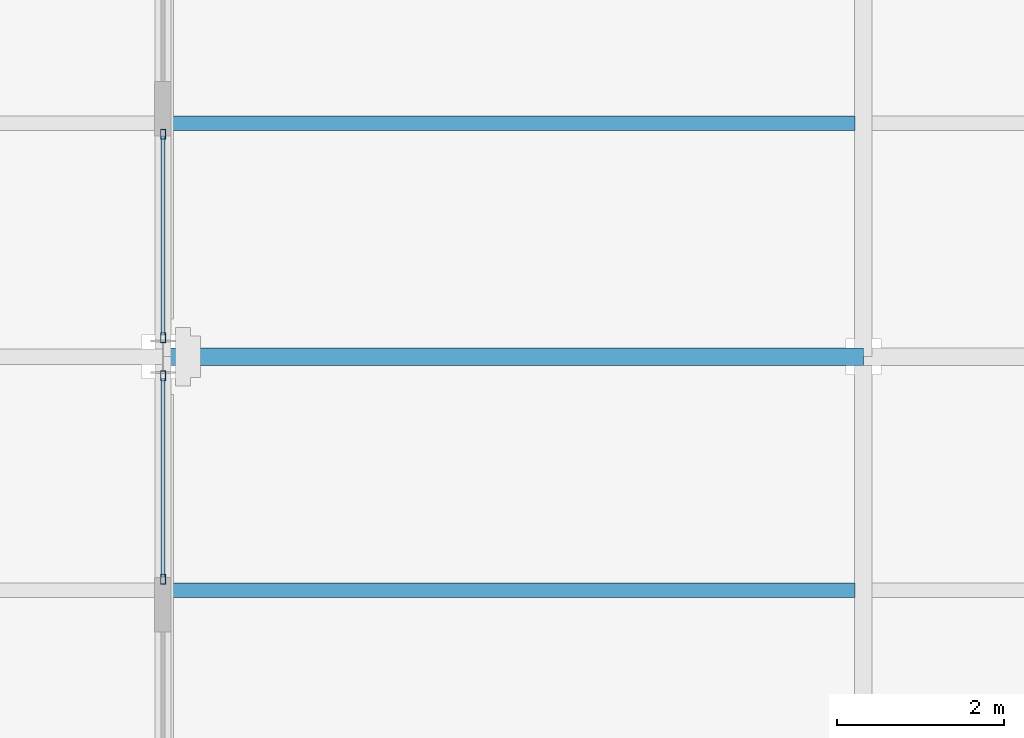
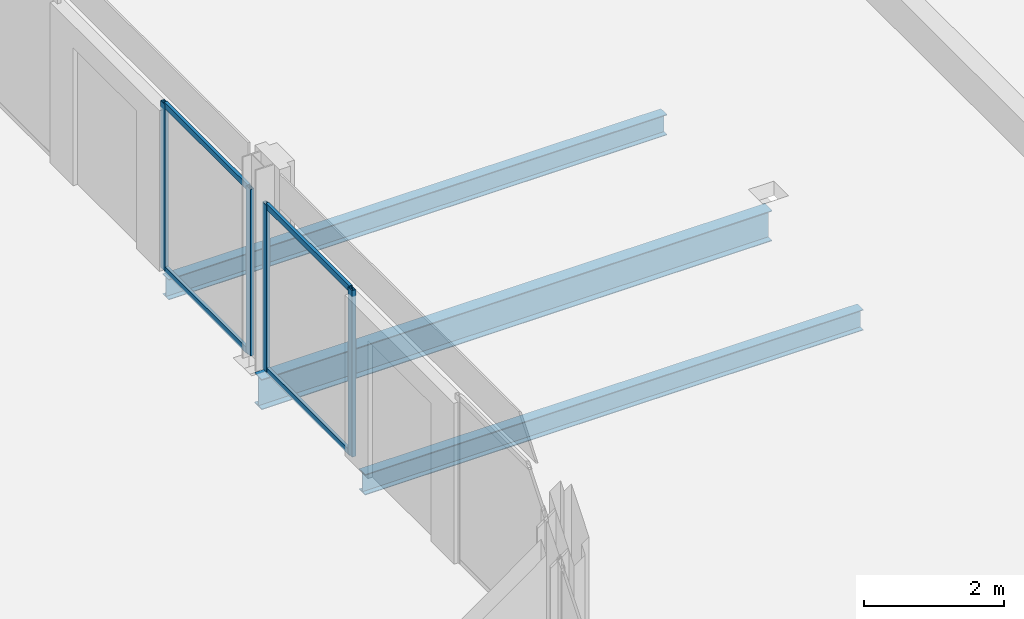
# One storey, part 16 of 32: 8 members, 3 beams, 2 elements without a shape of their own.
"""IFC4 building model written with IfcOpenShell, lengths in metres."""

from ifc_helpers import new_model, si_unit, direction, frame, origin, origin_2d, place, context, subcontext, project, spatial, hollow_rectangle, i_section, extrude, material, material_profile, profile_set, type_object, element, aggregate, save


model = new_model("IFC4")

# Units and contexts
model_context = context("Model", 3, precision=1e-05, world=origin(), true_north=direction((0.0, 1.0)))
body_context = subcontext(model_context, "Body", "Model", "MODEL_VIEW")
ifc_project = project(units=[si_unit("LENGTHUNIT", "METRE"), si_unit("AREAUNIT", "SQUARE_METRE"), si_unit("VOLUMEUNIT", "CUBIC_METRE"), si_unit("PLANEANGLEUNIT", "RADIAN"), si_unit("MASSUNIT", "GRAM", prefix="KILO")], contexts=[model_context])

# Site, building, storey
site_placement = place(None, origin())
site = spatial("IfcSite", under=ifc_project, at=site_placement, CompositionType="ELEMENT")
building_placement = place(site_placement, origin())
building = spatial("IfcBuilding", under=site, at=building_placement, Name="Catenary Quay Ferry Terminal", CompositionType="ELEMENT")
storey_placement = place(building_placement, frame((0.0, 0.0, 17.10009765625)))
storey = spatial("IfcBuildingStorey", under=building, at=storey_placement, Name="L03", CompositionType="ELEMENT", Elevation=17.10009765625)

# Beams
ifc_material_1 = material(Name="Steel S355", Category="steel")
ifc_material_profile_1 = material_profile(ifc_material_1, i_section(OverallWidth=0.208740234375, OverallDepth=0.5283203125, WebThickness=0.009521484375, FlangeThickness=0.01318359375, at=origin_2d()), Name="UB 533x210x82")
ifc_profile_set_1 = profile_set([ifc_material_profile_1], Name="Steel S355")
beam_type_1 = type_object("IfcBeamType", Name="B5 UB 533x210x82", PredefinedType="BEAM", material=ifc_profile_set_1)
beam_placement = place(storey_placement, frame((50.39990234375, 184.800048828125, -0.51416015625), z_axis=(1.0, 0.0, 0.0), x_axis=(0.0, 1.0, 0.0)))
element("IfcBeam", 1, at=beam_placement, inside=storey, type_object=beam_type_1, Name="Beam B5-007", PredefinedType="BEAM", context=body_context, shape_type="SweptSolid", body=[
    extrude(i_section(OverallWidth=0.208740234375, OverallDepth=0.5283203125, WebThickness=0.009521484375, FlangeThickness=0.01318359375, at=origin_2d()), origin(), (0.0, 0.0, 1.0), 8.400146484375),
])
ifc_material_2 = material(Name="Steel S355", Category="steel")
ifc_material_profile_2 = material_profile(ifc_material_2, i_section(OverallWidth=0.169921875, OverallDepth=0.360107421875, WebThickness=0.008056640625, FlangeThickness=0.0126953125, at=origin_2d()), Name="IPE 360")
ifc_profile_set_2 = profile_set([ifc_material_profile_2], Name="Steel S355")
beam_type_2 = type_object("IfcBeamType", Name="B7 IPE 360", PredefinedType="BEAM", material=ifc_profile_set_2)
for number, where, z_axis, x_axis, name in (
    (2, (50.4951171875, 182.0, -0.43017578125), (1.0, 0.0, 0.0), (0.0, 1.0, 0.0), "Beam B7-011"),
    (3, (50.4951171875, 187.60009765625, -0.43017578125), (1.0, 0.0, 0.0), (0.0, 1.0, 0.0), "Beam B7-013"),
):
    element("IfcBeam", number, at=place(storey_placement, frame(where, z_axis=z_axis, x_axis=x_axis)), inside=storey, type_object=beam_type_2, Name=name, PredefinedType="BEAM", context=body_context, shape_type="SweptSolid", body=[
        extrude(i_section(OverallWidth=0.169921875, OverallDepth=0.360107421875, WebThickness=0.008056640625, FlangeThickness=0.0126953125, at=origin_2d()), origin(), (0.0, 0.0, 1.0), 8.200927734375),
    ])

# Curtain wall, members
ifc_material_3 = material(Name="Aluminium and glass", Category="aluminium")
curtain_wall_type = type_object("IfcCurtainWallType", Name="CWW3", PredefinedType="NOTDEFINED", material=ifc_material_3)
curtain_wall_1_placement = place(storey_placement, origin())
curtain_wall_1 = element("IfcCurtainWall", 4, at=curtain_wall_1_placement, inside=storey, type_object=curtain_wall_type, Name="Wing curtain wall CW146", PredefinedType="NOTDEFINED")
ifc_material_4 = material(Name="Aluminium", Category="aluminium")
ifc_material_profile_3 = material_profile(ifc_material_4, hollow_rectangle(XDim=0.06005859375, YDim=0.1201171875, WallThickness=0.0048828125, at=origin_2d()), Name="MU4")
ifc_profile_set_3 = profile_set([ifc_material_profile_3], Name="Aluminium")
member_type_1 = type_object("IfcMemberType", Name="MU4", PredefinedType="MULLION", material=ifc_profile_set_3)
member_1_placement = place(storey_placement, frame((50.39990234375, 182.1298828125, 0.0), z_axis=(0.0, 0.0, 1.0), x_axis=(-1.0, 0.0, 0.0)))
member_1 = element("IfcMember", 5, at=member_1_placement, type_object=member_type_1, Name="CW146 mullion 1", PredefinedType="MULLION", context=body_context, shape_type="SweptSolid", body=[
    extrude(hollow_rectangle(XDim=0.06005859375, YDim=0.1201171875, WallThickness=0.0048828125, at=origin_2d()), origin(), (0.0, 0.0, 1.0), 2.89990234375),
])
member_2_placement = place(storey_placement, frame((50.39990234375, 184.570068359375, 0.0), z_axis=(0.0, 0.0, 1.0), x_axis=(-1.0, 0.0, 0.0)))
member_2 = element("IfcMember", 6, at=member_2_placement, type_object=member_type_1, Name="CW146 mullion 2", PredefinedType="MULLION", context=body_context, shape_type="SweptSolid", body=[
    extrude(hollow_rectangle(XDim=0.06005859375, YDim=0.1201171875, WallThickness=0.0048828125, at=origin_2d()), origin(), (0.0, 0.0, 1.0), 2.89990234375),
])

curtain_wall_2_placement = place(storey_placement, origin())
curtain_wall_2 = element("IfcCurtainWall", 7, at=curtain_wall_2_placement, inside=storey, type_object=curtain_wall_type, Name="Wing curtain wall CW147", PredefinedType="NOTDEFINED")
member_3_placement = place(storey_placement, frame((50.39990234375, 185.030029296875, 0.0), z_axis=(0.0, 0.0, 1.0), x_axis=(-1.0, 0.0, 0.0)))
member_3 = element("IfcMember", 8, at=member_3_placement, type_object=member_type_1, Name="CW147 mullion 1", PredefinedType="MULLION", context=body_context, shape_type="SweptSolid", body=[
    extrude(hollow_rectangle(XDim=0.06005859375, YDim=0.1201171875, WallThickness=0.0048828125, at=origin_2d()), origin(), (0.0, 0.0, 1.0), 2.89990234375),
])
member_4_placement = place(storey_placement, frame((50.39990234375, 187.469970703125, 0.0), z_axis=(0.0, 0.0, 1.0), x_axis=(-1.0, 0.0, 0.0)))
member_4 = element("IfcMember", 9, at=member_4_placement, type_object=member_type_1, Name="CW147 mullion 2", PredefinedType="MULLION", context=body_context, shape_type="SweptSolid", body=[
    extrude(hollow_rectangle(XDim=0.06005859375, YDim=0.1201171875, WallThickness=0.0048828125, at=origin_2d()), origin(), (0.0, 0.0, 1.0), 2.89990234375),
])

# Member
ifc_material_5 = material(Name="Aluminium", Category="aluminium")
ifc_material_profile_4 = material_profile(ifc_material_5, hollow_rectangle(XDim=0.050048828125, YDim=0.10009765625, WallThickness=0.00390625, at=origin_2d()), Name="TR4")
ifc_profile_set_4 = profile_set([ifc_material_profile_4], Name="Aluminium")
member_type_2 = type_object("IfcMemberType", Name="TR4", PredefinedType="USERDEFINED", material=ifc_profile_set_4)
member_5_placement = place(storey_placement, frame((50.39990234375, 182.159912109375, 0.02490234375), z_axis=(0.0, 1.0, 0.0), x_axis=(-1.0, 0.0, 0.0)))
member_5 = element("IfcMember", 10, at=member_5_placement, type_object=member_type_2, Name="CW146 transom 1.1", ObjectType="TRANSOM", PredefinedType="USERDEFINED", context=body_context, shape_type="SweptSolid", body=[
    extrude(hollow_rectangle(XDim=0.050048828125, YDim=0.10009765625, WallThickness=0.00390625, at=origin_2d()), origin(), (0.0, 0.0, 1.0), 2.380126953125),
])

member_6_placement = place(storey_placement, frame((50.39990234375, 182.159912109375, 2.875), z_axis=(0.0, 1.0, 0.0), x_axis=(-1.0, 0.0, 0.0)))
member_6 = element("IfcMember", 11, at=member_6_placement, type_object=member_type_2, Name="CW146 transom 1.2", ObjectType="TRANSOM", PredefinedType="USERDEFINED", context=body_context, shape_type="SweptSolid", body=[
    extrude(hollow_rectangle(XDim=0.050048828125, YDim=0.10009765625, WallThickness=0.00390625, at=origin_2d()), origin(), (0.0, 0.0, 1.0), 2.380126953125),
])

aggregate(curtain_wall_1, [member_1, member_2, member_5, member_6])

member_7_placement = place(storey_placement, frame((50.39990234375, 185.06005859375, 0.02490234375), z_axis=(0.0, 1.0, 0.0), x_axis=(-1.0, 0.0, 0.0)))
member_7 = element("IfcMember", 12, at=member_7_placement, type_object=member_type_2, Name="CW147 transom 1.1", ObjectType="TRANSOM", PredefinedType="USERDEFINED", context=body_context, shape_type="SweptSolid", body=[
    extrude(hollow_rectangle(XDim=0.050048828125, YDim=0.10009765625, WallThickness=0.00390625, at=origin_2d()), origin(), (0.0, 0.0, 1.0), 2.3798828125),
])

member_8_placement = place(storey_placement, frame((50.39990234375, 185.06005859375, 2.875), z_axis=(0.0, 1.0, 0.0), x_axis=(-1.0, 0.0, 0.0)))
member_8 = element("IfcMember", 13, at=member_8_placement, type_object=member_type_2, Name="CW147 transom 1.2", ObjectType="TRANSOM", PredefinedType="USERDEFINED", context=body_context, shape_type="SweptSolid", body=[
    extrude(hollow_rectangle(XDim=0.050048828125, YDim=0.10009765625, WallThickness=0.00390625, at=origin_2d()), origin(), (0.0, 0.0, 1.0), 2.3798828125),
])

aggregate(curtain_wall_2, [member_3, member_4, member_7, member_8])

save(model, "model.ifc")
